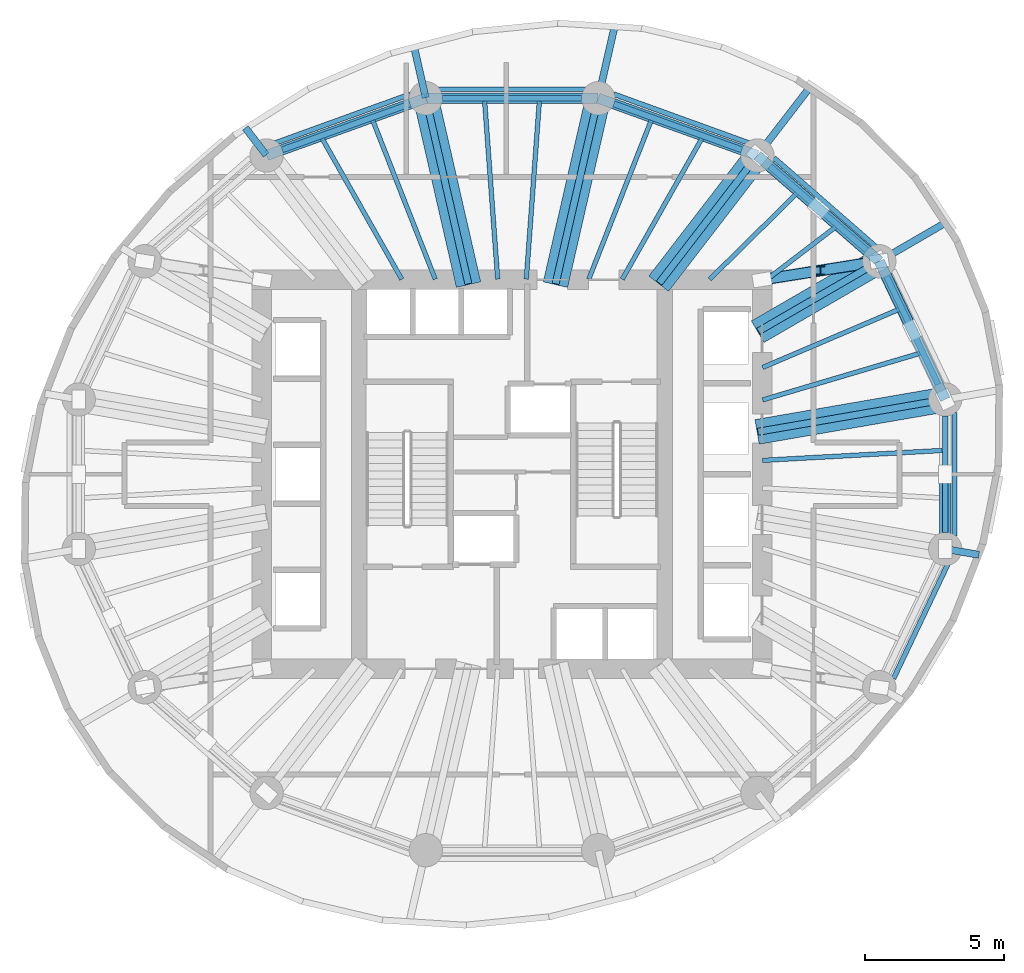
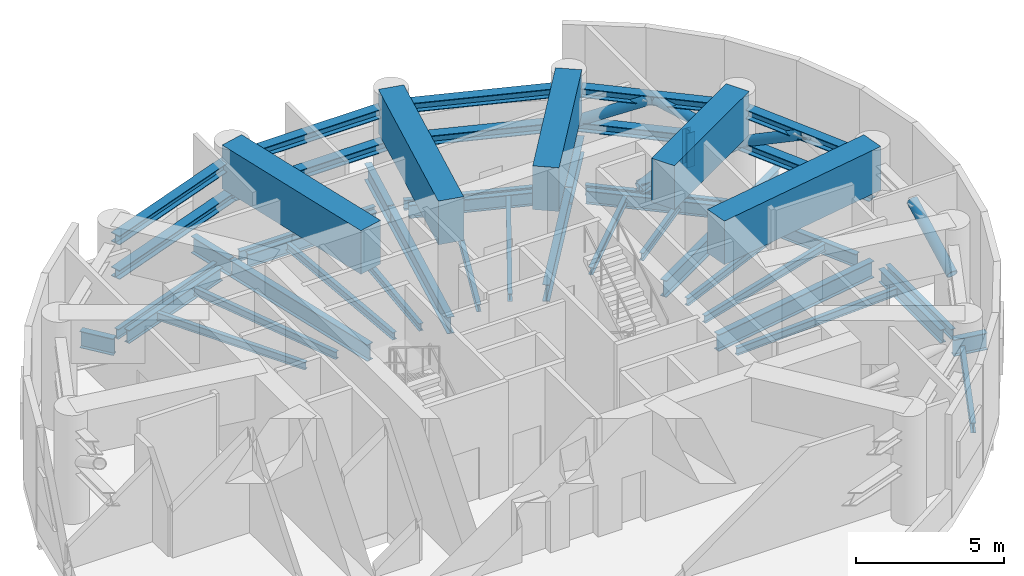
# One storey, part 3 of 9: 39 beams, 17 members.
"""IFC4 building model written with IfcOpenShell, lengths in metres."""

from ifc_helpers import new_model, si_unit, direction, frame, origin, origin_2d, place, context, subcontext, project, spatial, rectangle, hollow_circle, i_section, extrude, material, material_profile, profile_set, type_object, element, save


model = new_model("IFC4")

# Units and contexts
model_context = context("Model", 3, precision=1e-05, world=origin(), true_north=direction((0.0, 1.0)))
body_context = subcontext(model_context, "Body", "Model", "MODEL_VIEW")
ifc_project = project(units=[si_unit("LENGTHUNIT", "METRE"), si_unit("AREAUNIT", "SQUARE_METRE"), si_unit("VOLUMEUNIT", "CUBIC_METRE"), si_unit("PLANEANGLEUNIT", "RADIAN"), si_unit("MASSUNIT", "GRAM", prefix="KILO")], contexts=[model_context])

# Site, building, storey
site_placement = place(None, origin())
site = spatial("IfcSite", under=ifc_project, at=site_placement, CompositionType="ELEMENT")
building_placement = place(site_placement, origin())
building = spatial("IfcBuilding", under=site, at=building_placement, Name="Veldorim Arch Residences", CompositionType="ELEMENT")
storey_placement = place(building_placement, frame((0.0, 0.0, 112.47998046875)))
storey = spatial("IfcBuildingStorey", under=building, at=storey_placement, Name="L33", CompositionType="ELEMENT", Elevation=112.47998046875)

# Members
ifc_material_1 = material(Name="Steel S460", Category="steel")
ifc_material_profile_1 = material_profile(ifc_material_1, hollow_circle(Radius=0.203125, WallThickness=0.02490234375, at=origin_2d()), Name="CHS406.4x25")
ifc_profile_set_1 = profile_set([ifc_material_profile_1], Name="Steel S460")
member_type_1 = type_object("IfcMemberType", Name="Crown Diagrid CHS406.4x25", PredefinedType="BRACE", material=ifc_profile_set_1)
member_1_placement = place(storey_placement, frame((45.220458984375, 31.6669921875, 2.239990234375), z_axis=(0.382845777056, -0.802306791942, 0.457966071443), x_axis=(0.902513119828, 0.430662360252, 0.0)))
element("IfcMember", 1, at=member_1_placement, inside=storey, type_object=member_type_1, Name="L33 belt truss chevron brace 01B", PredefinedType="BRACE", context=body_context, shape_type="SweptSolid", body=[
    extrude(hollow_circle(Radius=0.203125, WallThickness=0.02490234375, at=origin_2d()), origin(), (0.0, 0.0, 1.0), 3.1005859375),
])
member_2_placement = place(storey_placement, frame((45.220458984375, 31.6669921875, 2.239990234375), z_axis=(-0.678484593974, 0.588840647731, 0.439232680159), x_axis=(-0.655452052573, -0.755236788549, 0.0)))
element("IfcMember", 2, at=member_2_placement, inside=storey, type_object=member_type_1, Name="L33 belt truss chevron brace 02A", PredefinedType="BRACE", context=body_context, shape_type="SweptSolid", body=[
    extrude(hollow_circle(Radius=0.203125, WallThickness=0.02490234375, at=origin_2d()), origin(), (0.0, 0.0, 1.0), 3.232666015625),
])
member_3_placement = place(storey_placement, frame((40.83349609375, 35.474365234375, 2.239990234375), z_axis=(0.678495175724, -0.588859808603, 0.439190644631), x_axis=(0.655458387003, 0.755231291001, 0.0)))
element("IfcMember", 3, at=member_3_placement, inside=storey, type_object=member_type_1, Name="L33 belt truss chevron brace 02B", PredefinedType="BRACE", context=body_context, shape_type="SweptSolid", body=[
    extrude(hollow_circle(Radius=0.203125, WallThickness=0.02490234375, at=origin_2d()), origin(), (0.0, 0.0, 1.0), 3.233154296875),
])
member_4_placement = place(storey_placement, frame((47.594482421875, 21.307861328125, 2.239990234375), z_axis=(0.0, 0.884510728409, 0.46651985095), x_axis=(-1.0, 0.0, 0.0)))
element("IfcMember", 4, at=member_4_placement, inside=storey, type_object=member_type_1, Name="L33 belt truss chevron brace 16A", PredefinedType="BRACE", context=body_context, shape_type="SweptSolid", body=[
    extrude(hollow_circle(Radius=0.203125, WallThickness=0.02490234375, at=origin_2d()), origin(), (0.0, 0.0, 1.0), 3.043701171875),
])
member_5_placement = place(storey_placement, frame((41.0, 31.0, 2.239990234375), z_axis=(0.937339958328, 0.148135174764, 0.315356579952), x_axis=(-0.15610047481, 0.987741181567, 0.0)))
element("IfcMember", 5, at=member_5_placement, inside=storey, type_object=member_type_1, Name="L33 outrigger truss diagonal 02", PredefinedType="BRACE", context=body_context, shape_type="SweptSolid", body=[
    extrude(hollow_circle(Radius=0.203125, WallThickness=0.02490234375, at=origin_2d()), origin(), (0.0, 0.0, 1.0), 4.502685546875),
])

# Beams
ifc_material_2 = material(Name="Concrete C50/60", Category="concrete")
ifc_material_profile_2 = material_profile(ifc_material_2, rectangle(XDim=0.89990234375, YDim=1.800048828125, at=origin_2d()), Name="RC_RECT_900x1800")
ifc_profile_set_2 = profile_set([ifc_material_profile_2], Name="Concrete C50/60")
beam_type_1 = type_object("IfcBeamType", Name="Reinforced Concrete TRANSFER GIRDER RC_RECT_900x1800", PredefinedType="USERDEFINED", material=ifc_profile_set_2)
beam_1_placement = place(storey_placement, frame((40.822509765625, 25.523193359375, 3.580078125), z_axis=(0.985426867966, 0.170099641064, 0.0), x_axis=(-0.170099641064, 0.985426867966, 0.0)))
element("IfcBeam", 6, at=beam_1_placement, inside=storey, type_object=beam_type_1, Name="L33 zone-setback radial transfer girder 01", ObjectType="TRANSFER GIRDER", PredefinedType="USERDEFINED", context=body_context, shape_type="SweptSolid", body=[
    extrude(rectangle(XDim=0.89990234375, YDim=1.800048828125, at=origin_2d()), origin(), (0.0, 0.0, 1.0), 6.8720703125),
])
beam_2_placement = place(storey_placement, frame((40.84423828125, 29.129150390625, 3.580078125), z_axis=(0.865062605032, 0.501663920743, 0.0), x_axis=(-0.501663920743, 0.865062605032, 0.0)))
element("IfcBeam", 7, at=beam_2_placement, inside=storey, type_object=beam_type_1, Name="L33 zone-setback radial transfer girder 02", ObjectType="TRANSFER GIRDER", PredefinedType="USERDEFINED", context=body_context, shape_type="SweptSolid", body=[
    extrude(rectangle(XDim=0.89990234375, YDim=1.800048828125, at=origin_2d()), origin(), (0.0, 0.0, 1.0), 5.058837890625),
])
beam_3_placement = place(storey_placement, frame((37.279296875, 30.857421875, 3.580078125), z_axis=(0.610002316779, 0.792399629937, 0.0), x_axis=(-0.792399629937, 0.610002316779, 0.0)))
element("IfcBeam", 8, at=beam_3_placement, inside=storey, type_object=beam_type_1, Name="L33 zone-setback radial transfer girder 03", ObjectType="TRANSFER GIRDER", PredefinedType="USERDEFINED", context=body_context, shape_type="SweptSolid", body=[
    extrude(rectangle(XDim=0.89990234375, YDim=1.800048828125, at=origin_2d()), origin(), (0.0, 0.0, 1.0), 5.826416015625),
])
for number, where, z_axis, x_axis, name in (
    (9, (33.564208984375, 30.824462890625, 3.580078125), (0.223346674317, 0.974739074353, 0.0), (-0.974739074353, 0.223346674317, 0.0), "L33 zone-setback radial transfer girder 04"),
    (10, (30.435791015625, 30.824462890625, 3.580078125), (-0.223346674317, 0.974739074353, 0.0), (-0.974739074353, -0.223346674317, 0.0), "L33 zone-setback radial transfer girder 05"),
):
    element("IfcBeam", number, at=place(storey_placement, frame(where, z_axis=z_axis, x_axis=x_axis)), inside=storey, type_object=beam_type_1, Name=name, ObjectType="TRANSFER GIRDER", PredefinedType="USERDEFINED", context=body_context, shape_type="SweptSolid", body=[
        extrude(rectangle(XDim=0.89990234375, YDim=1.800048828125, at=origin_2d()), origin(), (0.0, 0.0, 1.0), 6.88427734375),
    ])
ifc_material_3 = material(Name="Steel S355", Category="steel")
ifc_material_profile_3 = material_profile(ifc_material_3, i_section(OverallWidth=0.2119140625, OverallDepth=0.54443359375, WebThickness=0.0126953125, FlangeThickness=0.021240234375, at=origin_2d()), Name="UB533x210x122")
ifc_profile_set_3 = profile_set([ifc_material_profile_3], Name="Steel S355")
beam_type_2 = type_object("IfcBeamType", Name="Structural Steel Beam UB533x210x122", PredefinedType="BEAM", material=ifc_profile_set_3)
beam_4_placement = place(storey_placement, frame((47.336181640625, 27.233642578125, -0.67236328125), z_axis=(-0.430720154476, 0.902485539235, 0.0), x_axis=(-0.902485539235, -0.430720154476, 0.0)))
element("IfcBeam", 11, at=beam_4_placement, inside=storey, type_object=beam_type_2, Name="L33 perimeter ring tie beam 01", PredefinedType="BEAM", context=body_context, shape_type="SweptSolid", body=[
    extrude(i_section(OverallWidth=0.2119140625, OverallDepth=0.54443359375, WebThickness=0.0126953125, FlangeThickness=0.021240234375, at=origin_2d()), origin(), (0.0, 0.0, 1.0), 4.312255859375),
])
beam_5_placement = place(storey_placement, frame((44.767333984375, 32.060302734375, -0.67236328125), z_axis=(-0.755244952556, 0.655442645576, 0.0), x_axis=(-0.655442645576, -0.755244952556, 0.0)))
element("IfcBeam", 12, at=beam_5_placement, inside=storey, type_object=beam_type_2, Name="L33 perimeter ring tie beam 02", PredefinedType="BEAM", context=body_context, shape_type="SweptSolid", body=[
    extrude(i_section(OverallWidth=0.2119140625, OverallDepth=0.54443359375, WebThickness=0.0126953125, FlangeThickness=0.021240234375, at=origin_2d()), origin(), (0.0, 0.0, 1.0), 4.608642578125),
])
beam_6_placement = place(storey_placement, frame((40.26904296875, 35.67724609375, -0.67236328125), z_axis=(-0.941041944493, 0.338289903343, 0.0), x_axis=(-0.338289903343, -0.941041944493, 0.0)))
element("IfcBeam", 13, at=beam_6_placement, inside=storey, type_object=beam_type_2, Name="L33 perimeter ring tie beam 03", PredefinedType="BEAM", context=body_context, shape_type="SweptSolid", body=[
    extrude(i_section(OverallWidth=0.2119140625, OverallDepth=0.54443359375, WebThickness=0.0126953125, FlangeThickness=0.021240234375, at=origin_2d()), origin(), (0.0, 0.0, 1.0), 4.890869140625),
])
beam_7_placement = place(storey_placement, frame((34.501953125, 37.534912109375, -0.67236328125), z_axis=(-1.0, 0.0, 0.0), x_axis=(0.0, -1.0, 0.0)))
element("IfcBeam", 14, at=beam_7_placement, inside=storey, type_object=beam_type_2, Name="L33 perimeter ring tie beam 04", PredefinedType="BEAM", context=body_context, shape_type="SweptSolid", body=[
    extrude(i_section(OverallWidth=0.2119140625, OverallDepth=0.54443359375, WebThickness=0.0126953125, FlangeThickness=0.021240234375, at=origin_2d()), origin(), (0.0, 0.0, 1.0), 5.00390625),
])
beam_8_placement = place(storey_placement, frame((28.33349609375, 37.331787109375, -0.67236328125), z_axis=(-0.941041944493, -0.338289903343, 0.0), x_axis=(0.338289903343, -0.941041944493, 0.0)))
element("IfcBeam", 15, at=beam_8_placement, inside=storey, type_object=beam_type_2, Name="L33 perimeter ring tie beam 05", PredefinedType="BEAM", context=body_context, shape_type="SweptSolid", body=[
    extrude(i_section(OverallWidth=0.2119140625, OverallDepth=0.54443359375, WebThickness=0.0126953125, FlangeThickness=0.021240234375, at=origin_2d()), origin(), (0.0, 0.0, 1.0), 4.890869140625),
])
beam_9_placement = place(storey_placement, frame((47.594482421875, 21.90771484375, -0.67236328125), z_axis=(0.0, 1.0, 0.0), x_axis=(-1.0, 0.0, 0.0)))
element("IfcBeam", 16, at=beam_9_placement, inside=storey, type_object=beam_type_2, Name="L33 perimeter ring tie beam 16", PredefinedType="BEAM", context=body_context, shape_type="SweptSolid", body=[
    extrude(i_section(OverallWidth=0.2119140625, OverallDepth=0.54443359375, WebThickness=0.0126953125, FlangeThickness=0.021240234375, at=origin_2d()), origin(), (0.0, 0.0, 1.0), 4.1845703125),
])
ifc_material_4 = material(Name="Steel S355", Category="steel")
ifc_material_profile_4 = material_profile(ifc_material_4, i_section(OverallWidth=0.25439453125, OverallDepth=0.6875, WebThickness=0.01318359375, FlangeThickness=0.02099609375, at=origin_2d()), Name="UB686x254x152")
ifc_profile_set_4 = profile_set([ifc_material_profile_4], Name="Steel S355")
beam_type_3 = type_object("IfcBeamType", Name="Structural Steel GIRDER UB686x254x152", PredefinedType="USERDEFINED", material=ifc_profile_set_4)
beam_10_placement = place(storey_placement, frame((40.852294921875, 25.5283203125, -0.743896484375), z_axis=(0.985426622718, 0.17010106184, 0.0), x_axis=(-0.17010106184, 0.985426622718, 0.0)))
element("IfcBeam", 17, at=beam_10_placement, inside=storey, type_object=beam_type_3, Name="L33 radial floor girder 01", ObjectType="GIRDER", PredefinedType="USERDEFINED", context=body_context, shape_type="SweptSolid", body=[
    extrude(i_section(OverallWidth=0.25439453125, OverallDepth=0.6875, WebThickness=0.01318359375, FlangeThickness=0.02099609375, at=origin_2d()), origin(), (0.0, 0.0, 1.0), 6.82177734375),
])
beam_11_placement = place(storey_placement, frame((40.8701171875, 29.14404296875, -0.743896484375), z_axis=(0.865048957682, 0.501687453314, 0.0), x_axis=(-0.501687453314, 0.865048957682, 0.0)))
element("IfcBeam", 18, at=beam_11_placement, inside=storey, type_object=beam_type_3, Name="L33 radial floor girder 02", ObjectType="GIRDER", PredefinedType="USERDEFINED", context=body_context, shape_type="SweptSolid", body=[
    extrude(i_section(OverallWidth=0.25439453125, OverallDepth=0.6875, WebThickness=0.01318359375, FlangeThickness=0.02099609375, at=origin_2d()), origin(), (0.0, 0.0, 1.0), 5.009033203125),
])
beam_12_placement = place(storey_placement, frame((45.23779296875, 31.677001953125, -0.743896484375), z_axis=(0.865079969569, 0.501633976372, 0.0), x_axis=(-0.501633976372, 0.865079969569, 0.0)))
element("IfcBeam", 19, at=beam_12_placement, inside=storey, type_object=beam_type_3, Name="L33 radial edge cantilever girder 02", ObjectType="GIRDER", PredefinedType="USERDEFINED", context=body_context, shape_type="SweptSolid", body=[
    extrude(i_section(OverallWidth=0.25439453125, OverallDepth=0.6875, WebThickness=0.01318359375, FlangeThickness=0.02099609375, at=origin_2d()), origin(), (0.0, 0.0, 1.0), 2.736572265625),
])
beam_13_placement = place(storey_placement, frame((37.297607421875, 30.881103515625, -0.743896484375), z_axis=(0.609994628196, 0.792405548676, 0.0), x_axis=(-0.792405548676, 0.609994628196, 0.0)))
element("IfcBeam", 20, at=beam_13_placement, inside=storey, type_object=beam_type_3, Name="L33 radial floor girder 03", ObjectType="GIRDER", PredefinedType="USERDEFINED", context=body_context, shape_type="SweptSolid", body=[
    extrude(i_section(OverallWidth=0.25439453125, OverallDepth=0.6875, WebThickness=0.01318359375, FlangeThickness=0.02099609375, at=origin_2d()), origin(), (0.0, 0.0, 1.0), 5.776611328125),
])
beam_14_placement = place(storey_placement, frame((40.845703125, 35.489990234375, -0.743896484375), z_axis=(0.609996329262, 0.79240423919, 0.0), x_axis=(-0.79240423919, 0.609996329262, 0.0)))
element("IfcBeam", 21, at=beam_14_placement, inside=storey, type_object=beam_type_3, Name="L33 radial edge cantilever girder 03", ObjectType="GIRDER", PredefinedType="USERDEFINED", context=body_context, shape_type="SweptSolid", body=[
    extrude(i_section(OverallWidth=0.25439453125, OverallDepth=0.6875, WebThickness=0.01318359375, FlangeThickness=0.02099609375, at=origin_2d()), origin(), (0.0, 0.0, 1.0), 3.056884765625),
])
beam_15_placement = place(storey_placement, frame((33.57080078125, 30.853759765625, -0.743896484375), z_axis=(0.223374742148, 0.97473264261, 0.0), x_axis=(-0.97473264261, 0.223374742148, 0.0)))
element("IfcBeam", 22, at=beam_15_placement, inside=storey, type_object=beam_type_3, Name="L33 radial floor girder 04", ObjectType="GIRDER", PredefinedType="USERDEFINED", context=body_context, shape_type="SweptSolid", body=[
    extrude(i_section(OverallWidth=0.25439453125, OverallDepth=0.6875, WebThickness=0.01318359375, FlangeThickness=0.02099609375, at=origin_2d()), origin(), (0.0, 0.0, 1.0), 6.834228515625),
])
beam_16_placement = place(storey_placement, frame((35.1064453125, 37.55419921875, -0.743896484375), z_axis=(0.223295427376, 0.974750815395, 0.0), x_axis=(-0.974750815395, 0.223295427376, 0.0)))
element("IfcBeam", 23, at=beam_16_placement, inside=storey, type_object=beam_type_3, Name="L33 radial edge cantilever girder 04", ObjectType="GIRDER", PredefinedType="USERDEFINED", context=body_context, shape_type="SweptSolid", body=[
    extrude(i_section(OverallWidth=0.25439453125, OverallDepth=0.6875, WebThickness=0.01318359375, FlangeThickness=0.02099609375, at=origin_2d()), origin(), (0.0, 0.0, 1.0), 2.6337890625),
])
beam_17_placement = place(storey_placement, frame((30.42919921875, 30.853759765625, -0.743896484375), z_axis=(-0.223374742148, 0.97473264261, 0.0), x_axis=(-0.97473264261, -0.223374742148, 0.0)))
element("IfcBeam", 24, at=beam_17_placement, inside=storey, type_object=beam_type_3, Name="L33 radial floor girder 05", ObjectType="GIRDER", PredefinedType="USERDEFINED", context=body_context, shape_type="SweptSolid", body=[
    extrude(i_section(OverallWidth=0.25439453125, OverallDepth=0.6875, WebThickness=0.01318359375, FlangeThickness=0.02099609375, at=origin_2d()), origin(), (0.0, 0.0, 1.0), 6.834228515625),
])
beam_18_placement = place(storey_placement, frame((28.8935546875, 37.55419921875, -0.743896484375), z_axis=(-0.223316805826, 0.974745917783, 0.0), x_axis=(-0.974745917783, -0.223316805826, 0.0)))
element("IfcBeam", 25, at=beam_18_placement, inside=storey, type_object=beam_type_3, Name="L33 radial edge cantilever girder 05", ObjectType="GIRDER", PredefinedType="USERDEFINED", context=body_context, shape_type="SweptSolid", body=[
    extrude(i_section(OverallWidth=0.25439453125, OverallDepth=0.6875, WebThickness=0.01318359375, FlangeThickness=0.02099609375, at=origin_2d()), origin(), (0.0, 0.0, 1.0), 1.872802734375),
])
beam_19_placement = place(storey_placement, frame((23.154296875, 35.489990234375, -0.743896484375), z_axis=(-0.60991256107, 0.792468717269, 0.0), x_axis=(-0.792468717269, -0.60991256107, 0.0)))
element("IfcBeam", 26, at=beam_19_placement, inside=storey, type_object=beam_type_3, Name="L33 radial edge cantilever girder 06", ObjectType="GIRDER", PredefinedType="USERDEFINED", context=body_context, shape_type="SweptSolid", body=[
    extrude(i_section(OverallWidth=0.25439453125, OverallDepth=0.6875, WebThickness=0.01318359375, FlangeThickness=0.02099609375, at=origin_2d()), origin(), (0.0, 0.0, 1.0), 1.227783203125),
])
beam_20_placement = place(storey_placement, frame((47.6142578125, 21.304443359375, -0.743896484375), z_axis=(0.985422806688, -0.170123167323, 0.0), x_axis=(0.170123167323, 0.985422806688, 0.0)))
element("IfcBeam", 27, at=beam_20_placement, inside=storey, type_object=beam_type_3, Name="L33 radial edge cantilever girder 16", ObjectType="GIRDER", PredefinedType="USERDEFINED", context=body_context, shape_type="SweptSolid", body=[
    extrude(i_section(OverallWidth=0.25439453125, OverallDepth=0.6875, WebThickness=0.01318359375, FlangeThickness=0.02099609375, at=origin_2d()), origin(), (0.0, 0.0, 1.0), 1.209716796875),
])
ifc_material_5 = material(Name="Steel S355", Category="steel")
ifc_material_profile_5 = material_profile(ifc_material_5, i_section(OverallWidth=0.165771484375, OverallDepth=0.306640625, WebThickness=0.006591796875, FlangeThickness=0.01171875, at=origin_2d()), Name="UB305x165x46")
ifc_profile_set_5 = profile_set([ifc_material_profile_5], Name="Steel S355")
beam_type_4 = type_object("IfcBeamType", Name="Structural Steel Joist UB305x165x46", PredefinedType="JOIST", material=ifc_profile_set_5)
beam_21_placement = place(storey_placement, frame((41.019287109375, 26.673583984375, -0.55322265625), z_axis=(0.958753061488, 0.284240333324, 0.0), x_axis=(-0.284240333324, 0.958753061488, 0.0)))
element("IfcBeam", 28, at=beam_21_placement, inside=storey, type_object=beam_type_4, Name="L33 secondary radial floor joist 01-1", PredefinedType="JOIST", context=body_context, shape_type="SweptSolid", body=[
    extrude(i_section(OverallWidth=0.165771484375, OverallDepth=0.306640625, WebThickness=0.006591796875, FlangeThickness=0.01171875, at=origin_2d()), origin(), (0.0, 0.0, 1.0), 5.906005859375),
])
beam_22_placement = place(storey_placement, frame((41.018310546875, 27.841552734375, -0.55322265625), z_axis=(0.919997395122, 0.391924473552, 0.0), x_axis=(-0.391924473552, 0.919997395122, 0.0)))
element("IfcBeam", 29, at=beam_22_placement, inside=storey, type_object=beam_type_4, Name="L33 secondary radial floor joist 01-2", PredefinedType="JOIST", context=body_context, shape_type="SweptSolid", body=[
    extrude(i_section(OverallWidth=0.165771484375, OverallDepth=0.306640625, WebThickness=0.006591796875, FlangeThickness=0.01171875, at=origin_2d()), origin(), (0.0, 0.0, 1.0), 5.334716796875),
])
beam_23_placement = place(storey_placement, frame((41.015869140625, 30.888427734375, -0.55322265625), z_axis=(0.794594763594, 0.60714014994, 0.0), x_axis=(-0.60714014994, 0.794594763594, 0.0)))
element("IfcBeam", 30, at=beam_23_placement, inside=storey, type_object=beam_type_4, Name="L33 secondary radial floor joist 02-1", PredefinedType="JOIST", context=body_context, shape_type="SweptSolid", body=[
    extrude(i_section(OverallWidth=0.165771484375, OverallDepth=0.306640625, WebThickness=0.006591796875, FlangeThickness=0.01171875, at=origin_2d()), origin(), (0.0, 0.0, 1.0), 3.30419921875),
])
beam_24_placement = place(storey_placement, frame((39.114013671875, 31.013916015625, -0.55322265625), z_axis=(0.712111629941, 0.702066255066, 0.0), x_axis=(-0.702066255066, 0.712111629941, 0.0)))
element("IfcBeam", 31, at=beam_24_placement, inside=storey, type_object=beam_type_4, Name="L33 secondary radial floor joist 02-2", PredefinedType="JOIST", context=body_context, shape_type="SweptSolid", body=[
    extrude(i_section(OverallWidth=0.165771484375, OverallDepth=0.306640625, WebThickness=0.006591796875, FlangeThickness=0.01171875, at=origin_2d()), origin(), (0.0, 0.0, 1.0), 4.39892578125),
])
beam_25_placement = place(storey_placement, frame((35.96826171875, 31.017333984375, -0.55322265625), z_axis=(0.492227411199, 0.870466642476, 0.0), x_axis=(-0.870466642476, 0.492227411199, 0.0)))
element("IfcBeam", 32, at=beam_25_placement, inside=storey, type_object=beam_type_4, Name="L33 secondary radial floor joist 03-1", PredefinedType="JOIST", context=body_context, shape_type="SweptSolid", body=[
    extrude(i_section(OverallWidth=0.165771484375, OverallDepth=0.306640625, WebThickness=0.006591796875, FlangeThickness=0.01171875, at=origin_2d()), origin(), (0.0, 0.0, 1.0), 5.81494140625),
])
beam_26_placement = place(storey_placement, frame((34.761962890625, 31.0185546875, -0.55322265625), z_axis=(0.366194870364, 0.930538186707, 0.0), x_axis=(-0.930538186707, 0.366194870364, 0.0)))
element("IfcBeam", 33, at=beam_26_placement, inside=storey, type_object=beam_type_4, Name="L33 secondary radial floor joist 03-2", PredefinedType="JOIST", context=body_context, shape_type="SweptSolid", body=[
    extrude(i_section(OverallWidth=0.165771484375, OverallDepth=0.306640625, WebThickness=0.006591796875, FlangeThickness=0.01171875, at=origin_2d()), origin(), (0.0, 0.0, 1.0), 6.1396484375),
])
for number, where, z_axis, x_axis, name in (
    (34, (32.514892578125, 31.02001953125, -0.55322265625), (0.073143494169, 0.997321427254, 0.0), (-0.997321427254, 0.073143494169, 0.0), "L33 secondary radial floor joist 04-1"),
    (35, (31.485107421875, 31.02001953125, -0.55322265625), (-0.073143494169, 0.997321427254, 0.0), (-0.997321427254, -0.073143494169, 0.0), "L33 secondary radial floor joist 04-2"),
):
    element("IfcBeam", number, at=place(storey_placement, frame(where, z_axis=z_axis, x_axis=x_axis)), inside=storey, type_object=beam_type_4, Name=name, PredefinedType="JOIST", context=body_context, shape_type="SweptSolid", body=[
        extrude(i_section(OverallWidth=0.165771484375, OverallDepth=0.306640625, WebThickness=0.006591796875, FlangeThickness=0.01171875, at=origin_2d()), origin(), (0.0, 0.0, 1.0), 6.421875),
    ])
beam_27_placement = place(storey_placement, frame((29.238037109375, 31.0185546875, -0.55322265625), z_axis=(-0.366194870364, 0.930538186707, 0.0), x_axis=(-0.930538186707, -0.366194870364, 0.0)))
element("IfcBeam", 36, at=beam_27_placement, inside=storey, type_object=beam_type_4, Name="L33 secondary radial floor joist 05-1", PredefinedType="JOIST", context=body_context, shape_type="SweptSolid", body=[
    extrude(i_section(OverallWidth=0.165771484375, OverallDepth=0.306640625, WebThickness=0.006591796875, FlangeThickness=0.01171875, at=origin_2d()), origin(), (0.0, 0.0, 1.0), 6.1396484375),
])
beam_28_placement = place(storey_placement, frame((28.03173828125, 31.017333984375, -0.55322265625), z_axis=(-0.492227411199, 0.870466642476, 0.0), x_axis=(-0.870466642476, -0.492227411199, 0.0)))
element("IfcBeam", 37, at=beam_28_placement, inside=storey, type_object=beam_type_4, Name="L33 secondary radial floor joist 05-2", PredefinedType="JOIST", context=body_context, shape_type="SweptSolid", body=[
    extrude(i_section(OverallWidth=0.165771484375, OverallDepth=0.306640625, WebThickness=0.006591796875, FlangeThickness=0.01171875, at=origin_2d()), origin(), (0.0, 0.0, 1.0), 5.81494140625),
])
beam_29_placement = place(storey_placement, frame((41.02001953125, 24.498291015625, -0.55322265625), z_axis=(0.99847713097, 0.055167190702, 0.0), x_axis=(-0.055167190702, 0.99847713097, 0.0)))
element("IfcBeam", 38, at=beam_29_placement, inside=storey, type_object=beam_type_4, Name="L33 secondary radial floor joist 16-2", PredefinedType="JOIST", context=body_context, shape_type="SweptSolid", body=[
    extrude(i_section(OverallWidth=0.165771484375, OverallDepth=0.306640625, WebThickness=0.006591796875, FlangeThickness=0.01171875, at=origin_2d()), origin(), (0.0, 0.0, 1.0), 6.474365234375),
])
ifc_material_6 = material(Name="Steel S355", Category="steel")
ifc_material_profile_6 = material_profile(ifc_material_6, i_section(OverallWidth=0.1787109375, OverallDepth=0.409423828125, WebThickness=0.0087890625, FlangeThickness=0.014404296875, at=origin_2d()), Name="UB406x178x67")
ifc_profile_set_6 = profile_set([ifc_material_profile_6], Name="Steel S355")
beam_type_5 = type_object("IfcBeamType", Name="Structural Steel Spandrel UB406x178x67", PredefinedType="SPANDREL", material=ifc_profile_set_6)
beam_30_placement = place(storey_placement, frame((45.108154296875, 32.1796875, -0.624755859375), z_axis=(-0.753323239074, 0.65765043714, 0.0), x_axis=(-0.65765043714, -0.753323239074, 0.0)))
element("IfcBeam", 39, at=beam_30_placement, inside=storey, type_object=beam_type_5, Name="L33 perimeter chord spandrel beam 02", PredefinedType="SPANDREL", context=body_context, shape_type="SweptSolid", body=[
    extrude(i_section(OverallWidth=0.1787109375, OverallDepth=0.409423828125, WebThickness=0.0087890625, FlangeThickness=0.014404296875, at=origin_2d()), origin(), (0.0, 0.0, 1.0), 4.879150390625),
])
beam_31_placement = place(storey_placement, frame((40.538330078125, 35.91552734375, -0.624755859375), z_axis=(-0.940307501418, 0.340326024244, 0.0), x_axis=(-0.340326024244, -0.940307501418, 0.0)))
element("IfcBeam", 40, at=beam_31_placement, inside=storey, type_object=beam_type_5, Name="L33 perimeter chord spandrel beam 03", PredefinedType="SPANDREL", context=body_context, shape_type="SweptSolid", body=[
    extrude(i_section(OverallWidth=0.1787109375, OverallDepth=0.409423828125, WebThickness=0.0087890625, FlangeThickness=0.014404296875, at=origin_2d()), origin(), (0.0, 0.0, 1.0), 5.175048828125),
])
beam_32_placement = place(storey_placement, frame((34.647705078125, 37.8564453125, -0.624755859375), z_axis=(-1.0, 0.0, 0.0), x_axis=(0.0, -1.0, 0.0)))
element("IfcBeam", 41, at=beam_32_placement, inside=storey, type_object=beam_type_5, Name="L33 perimeter chord spandrel beam 04", PredefinedType="SPANDREL", context=body_context, shape_type="SweptSolid", body=[
    extrude(i_section(OverallWidth=0.1787109375, OverallDepth=0.409423828125, WebThickness=0.0087890625, FlangeThickness=0.014404296875, at=origin_2d()), origin(), (0.0, 0.0, 1.0), 5.29541015625),
])
beam_33_placement = place(storey_placement, frame((28.327880859375, 37.6767578125, -0.624755859375), z_axis=(-0.940307501418, -0.340326024244, 0.0), x_axis=(0.340326024244, -0.940307501418, 0.0)))
element("IfcBeam", 42, at=beam_33_placement, inside=storey, type_object=beam_type_5, Name="L33 perimeter chord spandrel beam 05", PredefinedType="SPANDREL", context=body_context, shape_type="SweptSolid", body=[
    extrude(i_section(OverallWidth=0.1787109375, OverallDepth=0.409423828125, WebThickness=0.0087890625, FlangeThickness=0.014404296875, at=origin_2d()), origin(), (0.0, 0.0, 1.0), 5.175048828125),
])
beam_34_placement = place(storey_placement, frame((45.732421875, 16.64453125, -0.624755859375), z_axis=(0.428857472204, 0.903372165021, 0.0), x_axis=(-0.903372165021, 0.428857472204, 0.0)))
element("IfcBeam", 43, at=beam_34_placement, inside=storey, type_object=beam_type_5, Name="L33 perimeter chord spandrel beam 15", PredefinedType="SPANDREL", context=body_context, shape_type="SweptSolid", body=[
    extrude(i_section(OverallWidth=0.1787109375, OverallDepth=0.409423828125, WebThickness=0.0087890625, FlangeThickness=0.014404296875, at=origin_2d()), origin(), (0.0, 0.0, 1.0), 4.572021484375),
])
beam_35_placement = place(storey_placement, frame((47.919677734375, 21.77978515625, -0.624755859375), z_axis=(0.0, 1.0, 0.0), x_axis=(-1.0, 0.0, 0.0)))
element("IfcBeam", 44, at=beam_35_placement, inside=storey, type_object=beam_type_5, Name="L33 perimeter chord spandrel beam 16", PredefinedType="SPANDREL", context=body_context, shape_type="SweptSolid", body=[
    extrude(i_section(OverallWidth=0.1787109375, OverallDepth=0.409423828125, WebThickness=0.0087890625, FlangeThickness=0.014404296875, at=origin_2d()), origin(), (0.0, 0.0, 1.0), 4.4404296875),
])

# Members
ifc_material_7 = material(Name="Steel S460", Category="steel")
ifc_material_profile_7 = material_profile(ifc_material_7, i_section(OverallWidth=0.374755859375, OverallDepth=0.37451171875, WebThickness=0.0166015625, FlangeThickness=0.027099609375, at=origin_2d()), Name="UC356x368x202")
ifc_profile_set_7 = profile_set([ifc_material_profile_7], Name="Steel S460")
member_type_2 = type_object("IfcMemberType", Name="Truss Chord UC356x368x202", PredefinedType="CHORD", material=ifc_profile_set_7)
for number, where, z_axis, x_axis, name in (
    (45, (47.594482421875, 26.692138671875, 2.239990234375), (-0.430679574886, 0.902504905126, 0.0), (-0.902504905126, -0.430679574886, 0.0), "L33 belt truss bottom chord 01"),
    (46, (47.594482421875, 26.692138671875, 3.659912109375), (-0.430679574886, 0.902504905126, 0.0), (-0.902504905126, -0.430679574886, 0.0), "L33 belt truss top chord 01"),
):
    element("IfcMember", number, at=place(storey_placement, frame(where, z_axis=z_axis, x_axis=x_axis)), inside=storey, type_object=member_type_2, Name=name, PredefinedType="CHORD", context=body_context, shape_type="SweptSolid", body=[
        extrude(i_section(OverallWidth=0.374755859375, OverallDepth=0.37451171875, WebThickness=0.0166015625, FlangeThickness=0.027099609375, at=origin_2d()), origin(), (0.0, 0.0, 1.0), 5.51220703125),
    ])
for number, where, z_axis, x_axis, name in (
    (47, (45.220458984375, 31.6669921875, 2.239990234375), (-0.755234039619, 0.655455219982, 0.0), (-0.655455219982, -0.755234039619, 0.0), "L33 belt truss bottom chord 02"),
    (48, (45.220458984375, 31.6669921875, 3.659912109375), (-0.755234039619, 0.655455219982, 0.0), (-0.655455219982, -0.755234039619, 0.0), "L33 belt truss top chord 02"),
):
    element("IfcMember", number, at=place(storey_placement, frame(where, z_axis=z_axis, x_axis=x_axis)), inside=storey, type_object=member_type_2, Name=name, PredefinedType="CHORD", context=body_context, shape_type="SweptSolid", body=[
        extrude(i_section(OverallWidth=0.374755859375, OverallDepth=0.37451171875, WebThickness=0.0166015625, FlangeThickness=0.027099609375, at=origin_2d()), origin(), (0.0, 0.0, 1.0), 5.808837890625),
    ])
for number, where, z_axis, x_axis, name in (
    (49, (40.83349609375, 35.474365234375, 2.239990234375), (-0.941037036416, 0.338303556134, 0.0), (-0.338303556134, -0.941037036416, 0.0), "L33 belt truss bottom chord 03"),
    (50, (40.83349609375, 35.474365234375, 3.659912109375), (-0.941037036416, 0.338303556134, 0.0), (-0.338303556134, -0.941037036416, 0.0), "L33 belt truss top chord 03"),
):
    element("IfcMember", number, at=place(storey_placement, frame(where, z_axis=z_axis, x_axis=x_axis)), inside=storey, type_object=member_type_2, Name=name, PredefinedType="CHORD", context=body_context, shape_type="SweptSolid", body=[
        extrude(i_section(OverallWidth=0.374755859375, OverallDepth=0.37451171875, WebThickness=0.0166015625, FlangeThickness=0.027099609375, at=origin_2d()), origin(), (0.0, 0.0, 1.0), 6.0908203125),
    ])
for number, where, z_axis, x_axis, name in (
    (51, (35.101806640625, 37.534912109375, 2.239990234375), (-1.0, 0.0, 0.0), (0.0, -1.0, 0.0), "L33 belt truss bottom chord 04"),
    (52, (35.101806640625, 37.534912109375, 3.659912109375), (-1.0, 0.0, 0.0), (0.0, -1.0, 0.0), "L33 belt truss top chord 04"),
):
    element("IfcMember", number, at=place(storey_placement, frame(where, z_axis=z_axis, x_axis=x_axis)), inside=storey, type_object=member_type_2, Name=name, PredefinedType="CHORD", context=body_context, shape_type="SweptSolid", body=[
        extrude(i_section(OverallWidth=0.374755859375, OverallDepth=0.37451171875, WebThickness=0.0166015625, FlangeThickness=0.027099609375, at=origin_2d()), origin(), (0.0, 0.0, 1.0), 6.20361328125),
    ])
for number, where, z_axis, x_axis, name in (
    (53, (28.898193359375, 37.534912109375, 2.239990234375), (-0.941037036416, -0.338303556134, 0.0), (0.338303556134, -0.941037036416, 0.0), "L33 belt truss bottom chord 05"),
    (54, (28.898193359375, 37.534912109375, 3.659912109375), (-0.941037036416, -0.338303556134, 0.0), (0.338303556134, -0.941037036416, 0.0), "L33 belt truss top chord 05"),
):
    element("IfcMember", number, at=place(storey_placement, frame(where, z_axis=z_axis, x_axis=x_axis)), inside=storey, type_object=member_type_2, Name=name, PredefinedType="CHORD", context=body_context, shape_type="SweptSolid", body=[
        extrude(i_section(OverallWidth=0.374755859375, OverallDepth=0.37451171875, WebThickness=0.0166015625, FlangeThickness=0.027099609375, at=origin_2d()), origin(), (0.0, 0.0, 1.0), 6.0908203125),
    ])
member_6_placement = place(storey_placement, frame((41.0, 31.0, 2.239990234375), z_axis=(0.987741181567, 0.15610047481, 0.0), x_axis=(-0.15610047481, 0.987741181567, 0.0)))
element("IfcMember", 55, at=member_6_placement, inside=storey, type_object=member_type_2, Name="L33 outrigger truss bottom chord 02", PredefinedType="CHORD", context=body_context, shape_type="SweptSolid", body=[
    extrude(i_section(OverallWidth=0.374755859375, OverallDepth=0.37451171875, WebThickness=0.0166015625, FlangeThickness=0.027099609375, at=origin_2d()), origin(), (0.0, 0.0, 1.0), 4.27294921875),
])
ifc_material_8 = material(Name="Steel S460", Category="steel")
ifc_material_profile_8 = material_profile(ifc_material_8, i_section(OverallWidth=0.311279296875, OverallDepth=0.3271484375, WebThickness=0.015869140625, FlangeThickness=0.02490234375, at=origin_2d()), Name="UC305x305x158")
ifc_profile_set_8 = profile_set([ifc_material_profile_8], Name="Steel S460")
member_type_3 = type_object("IfcMemberType", Name="Truss Post UC305x305x158", PredefinedType="POST", material=ifc_profile_set_8)
member_7_placement = place(storey_placement, frame((43.110107421875, 31.33349609375, 2.239990234375), z_axis=(0.0, 0.0, 1.0), x_axis=(1.0, 0.0, 0.0)))
element("IfcMember", 56, at=member_7_placement, inside=storey, type_object=member_type_3, Name="L33 outrigger truss mid-post 02", PredefinedType="POST", context=body_context, shape_type="SweptSolid", body=[
    extrude(i_section(OverallWidth=0.311279296875, OverallDepth=0.3271484375, WebThickness=0.015869140625, FlangeThickness=0.02490234375, at=origin_2d()), origin(), (0.0, 0.0, 1.0), 1.419921875),
])

save(model, "model.ifc")
